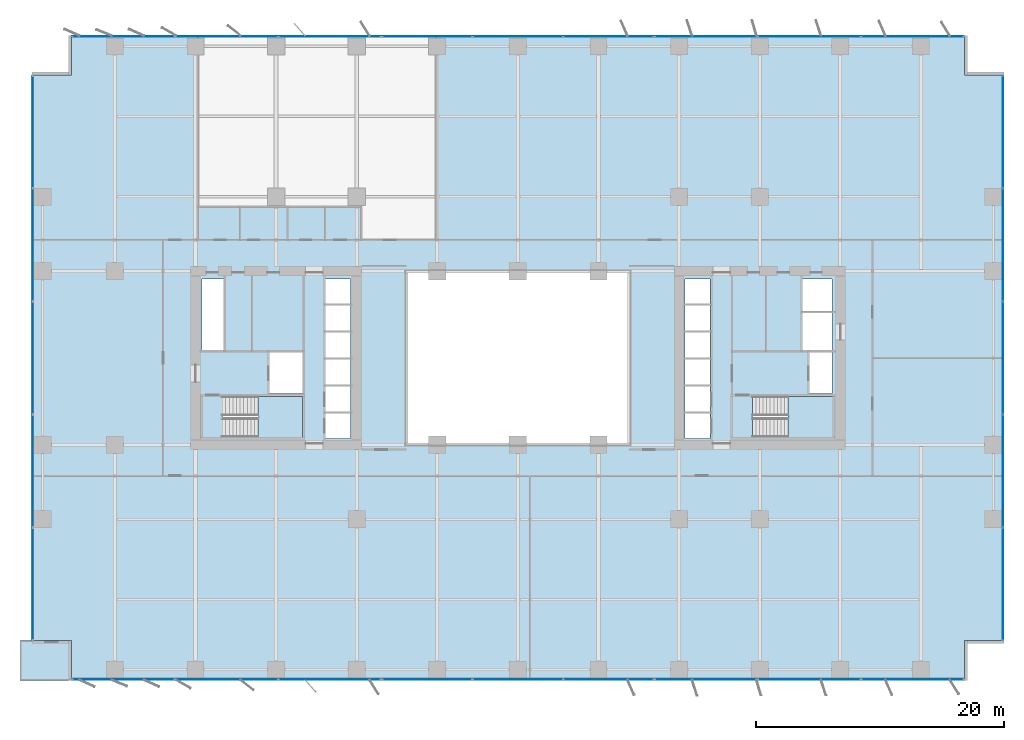
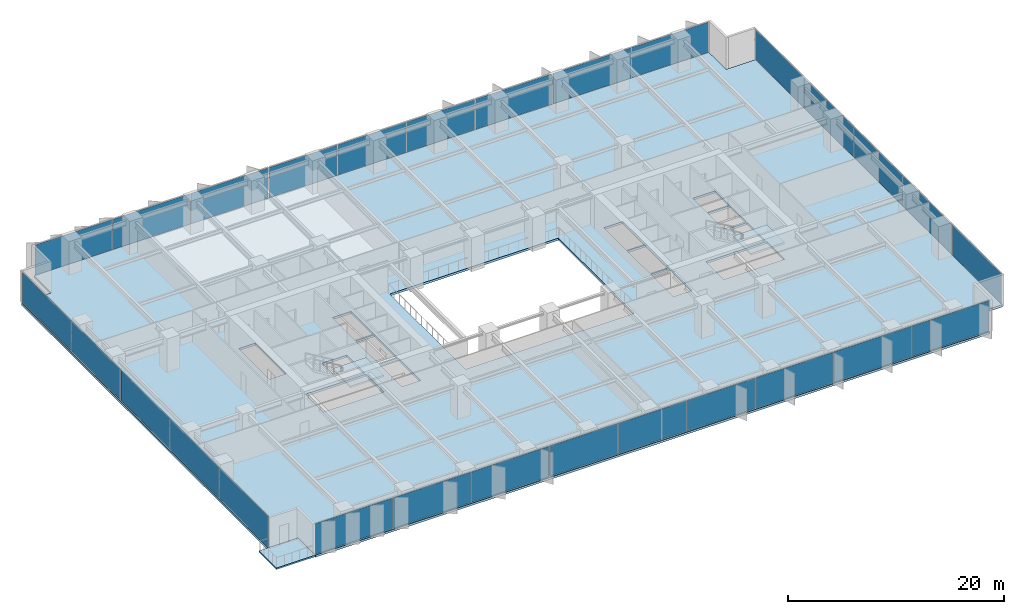
# One storey, part 12 of 20: 28 plates, 4 slabs, 10 elements without a shape of their own.
"""IFC4 building model written with IfcOpenShell, lengths in metres."""

from ifc_helpers import new_model, si_unit, direction, frame, origin, origin_2d, place, context, subcontext, project, spatial, polyline, rectangle, outline, extrude, material, layer, layer_set, type_object, element, aggregate, save


model = new_model("IFC4")

# Units and contexts
model_context = context("Model", 3, precision=1e-05, world=origin(), true_north=direction((0.0, 1.0)))
body_context = subcontext(model_context, "Body", "Model", "MODEL_VIEW")
ifc_project = project(units=[si_unit("LENGTHUNIT", "METRE"), si_unit("AREAUNIT", "SQUARE_METRE"), si_unit("VOLUMEUNIT", "CUBIC_METRE"), si_unit("PLANEANGLEUNIT", "RADIAN"), si_unit("MASSUNIT", "GRAM", prefix="KILO")], contexts=[model_context])

# Site, building, storey
site_placement = place(None, origin())
site = spatial("IfcSite", under=ifc_project, at=site_placement, CompositionType="ELEMENT")
building_placement = place(site_placement, origin())
building = spatial("IfcBuilding", under=site, at=building_placement, Name="Putna Gate Headquarters", CompositionType="ELEMENT")
storey_placement = place(building_placement, frame((0.0, 0.0, 27.800048828125)))
storey = spatial("IfcBuildingStorey", under=building, at=storey_placement, Name="L05", CompositionType="ELEMENT", Elevation=27.800048828125)

# Stair, slab
ifc_material_1 = material(Name="Concrete C40/50", Category="concrete")
stair_type_1 = type_object("IfcStairType", Name="STAIR-ST1", PredefinedType="HALF_TURN_STAIR", material=ifc_material_1)
stair_1_placement = place(storey_placement, origin())
stair_1 = element("IfcStair", 1, at=stair_1_placement, inside=storey, type_object=stair_type_1, Name="L05 West Core Exit Stair ST1", PredefinedType="HALF_TURN_STAIR")
ifc_layer_1 = layer(ifc_material_1, 0.199951171875)
ifc_layer_set_1 = layer_set([ifc_layer_1], Name="Concrete C40/50")
slab_type_1 = type_object("IfcSlabType", Name="LANDING-ST1", PredefinedType="LANDING", material=ifc_layer_set_1)
slab_1_placement = place(storey_placement, frame((0.0, 0.0, 1.699951171875)))
slab_1 = element("IfcSlab", 2, at=slab_1_placement, type_object=slab_type_1, Name="ST1 landing 1", PredefinedType="LANDING", context=body_context, shape_type="SweptSolid", body=[
    extrude(outline(polyline([(18.050048828125, 19.60009765625), (21.64990234375, 19.60009765625), (21.64990234375, 22.89990234375), (18.050048828125, 22.89990234375), (18.050048828125, 19.60009765625)])), origin(), (0.0, 0.0, 1.0), 0.199951171875),
])
aggregate(stair_1, [slab_1])

stair_type_2 = type_object("IfcStairType", Name="STAIR-ST2", PredefinedType="HALF_TURN_STAIR", material=ifc_material_1)
stair_2_placement = place(storey_placement, origin())
stair_2 = element("IfcStair", 3, at=stair_2_placement, inside=storey, type_object=stair_type_2, Name="L05 East Core Exit Stair ST2", PredefinedType="HALF_TURN_STAIR")
ifc_layer_2 = layer(ifc_material_1, 0.199951171875)
ifc_layer_set_2 = layer_set([ifc_layer_2], Name="Concrete C40/50")
slab_type_2 = type_object("IfcSlabType", Name="LANDING-ST2", PredefinedType="LANDING", material=ifc_layer_set_2)
slab_2_placement = place(storey_placement, frame((0.0, 0.0, 1.699951171875)))
slab_2 = element("IfcSlab", 4, at=slab_2_placement, type_object=slab_type_2, Name="ST2 landing 1", PredefinedType="LANDING", context=body_context, shape_type="SweptSolid", body=[
    extrude(outline(polyline([(60.800048828125, 19.60009765625), (64.39990234375, 19.60009765625), (64.39990234375, 22.89990234375), (60.800048828125, 22.89990234375), (60.800048828125, 19.60009765625)])), origin(), (0.0, 0.0, 1.0), 0.199951171875),
])
aggregate(stair_2, [slab_2])

# Curtain wall, plates
ifc_material_2 = material(Name="Anodised bronze aluminium curtain wall", Category="aluminium")
ifc_layer_3 = layer(ifc_material_2, 0.179931640625)
ifc_layer_set_3 = layer_set([ifc_layer_3], Name="Anodised bronze aluminium curtain wall")
curtain_wall_type_1 = type_object("IfcCurtainWallType", Name="CW-SYS-Z1", PredefinedType="USERDEFINED", material=ifc_layer_set_3)
curtain_wall_1_placement = place(storey_placement, origin())
curtain_wall_1 = element("IfcCurtainWall", 5, at=curtain_wall_1_placement, inside=storey, type_object=curtain_wall_type_1, Name="L05 South West Curtain Wall", ObjectType="STICK CURTAIN WALL", PredefinedType="USERDEFINED")
ifc_material_3 = material(Name="Solar-control triple low-E glass", Category="glass")
ifc_layer_4 = layer(ifc_material_3, 0.031982421875)
ifc_layer_set_4 = layer_set([ifc_layer_4], Name="Solar-control triple low-E glass")
plate_type_1 = type_object("IfcPlateType", Name="PAN-CWP-1", PredefinedType="CURTAIN_PANEL", material=ifc_layer_set_4)
plate_1_placement = place(storey_placement, frame((7.18408203125, 0.080078125, 0.06494140625), z_axis=(0.0, 0.0, 1.0), x_axis=(1.0, 0.0, 0.0)))
plate_1 = element("IfcPlate", 6, at=plate_1_placement, type_object=plate_type_1, Name="CWS-1 panel 1.1", PredefinedType="CURTAIN_PANEL", context=body_context, shape_type="SweptSolid", body=[
    extrude(rectangle(XDim=8.228271484375, YDim=0.031982421875, at=origin_2d()), origin(), (0.0, 0.0, 1.0), 3.419921875),
])
plate_2_placement = place(storey_placement, frame((15.5, 0.080078125, 0.06494140625), z_axis=(0.0, 0.0, 1.0), x_axis=(1.0, 0.0, 0.0)))
plate_2 = element("IfcPlate", 7, at=plate_2_placement, type_object=plate_type_1, Name="CWS-1 panel 2.1", PredefinedType="CURTAIN_PANEL", context=body_context, shape_type="SweptSolid", body=[
    extrude(rectangle(XDim=8.263427734375, YDim=0.031982421875, at=origin_2d()), origin(), (0.0, 0.0, 1.0), 3.419921875),
])
plate_3_placement = place(storey_placement, frame((23.81591796875, 0.080078125, 0.06494140625), z_axis=(0.0, 0.0, 1.0), x_axis=(1.0, 0.0, 0.0)))
plate_3 = element("IfcPlate", 8, at=plate_3_placement, type_object=plate_type_1, Name="CWS-1 panel 3.1", PredefinedType="CURTAIN_PANEL", context=body_context, shape_type="SweptSolid", body=[
    extrude(rectangle(XDim=8.228271484375, YDim=0.031982421875, at=origin_2d()), origin(), (0.0, 0.0, 1.0), 3.419921875),
])
aggregate(curtain_wall_1, [plate_1, plate_2, plate_3])

curtain_wall_2_placement = place(storey_placement, origin())
curtain_wall_2 = element("IfcCurtainWall", 9, at=curtain_wall_2_placement, inside=storey, type_object=curtain_wall_type_1, Name="L05 South East Curtain Wall", ObjectType="STICK CURTAIN WALL", PredefinedType="USERDEFINED")
plate_4_placement = place(storey_placement, frame((54.18408203125, 0.080078125, 0.06494140625), z_axis=(0.0, 0.0, 1.0), x_axis=(1.0, 0.0, 0.0)))
plate_4 = element("IfcPlate", 10, at=plate_4_placement, type_object=plate_type_1, Name="CWS-1 panel 1.1", PredefinedType="CURTAIN_PANEL", context=body_context, shape_type="SweptSolid", body=[
    extrude(rectangle(XDim=8.228271484375, YDim=0.031982421875, at=origin_2d()), origin(), (0.0, 0.0, 1.0), 3.419921875),
])
plate_5_placement = place(storey_placement, frame((62.5, 0.080078125, 0.06494140625), z_axis=(0.0, 0.0, 1.0), x_axis=(1.0, 0.0, 0.0)))
plate_5 = element("IfcPlate", 11, at=plate_5_placement, type_object=plate_type_1, Name="CWS-1 panel 2.1", PredefinedType="CURTAIN_PANEL", context=body_context, shape_type="SweptSolid", body=[
    extrude(rectangle(XDim=8.263427734375, YDim=0.031982421875, at=origin_2d()), origin(), (0.0, 0.0, 1.0), 3.419921875),
])
plate_6_placement = place(storey_placement, frame((70.81591796875, 0.080078125, 0.06494140625), z_axis=(0.0, 0.0, 1.0), x_axis=(1.0, 0.0, 0.0)))
plate_6 = element("IfcPlate", 12, at=plate_6_placement, type_object=plate_type_1, Name="CWS-1 panel 3.1", PredefinedType="CURTAIN_PANEL", context=body_context, shape_type="SweptSolid", body=[
    extrude(rectangle(XDim=8.228271484375, YDim=0.031982421875, at=origin_2d()), origin(), (0.0, 0.0, 1.0), 3.419921875),
])
aggregate(curtain_wall_2, [plate_4, plate_5, plate_6])

curtain_wall_3_placement = place(storey_placement, origin())
curtain_wall_3 = element("IfcCurtainWall", 13, at=curtain_wall_3_placement, inside=storey, type_object=curtain_wall_type_1, Name="L05 North West Curtain Wall", ObjectType="STICK CURTAIN WALL", PredefinedType="USERDEFINED")
plate_7_placement = place(storey_placement, frame((7.18408203125, 51.919921875, 0.06494140625), z_axis=(0.0, 0.0, 1.0), x_axis=(1.0, 0.0, 0.0)))
plate_7 = element("IfcPlate", 14, at=plate_7_placement, type_object=plate_type_1, Name="CWS-1 panel 1.1", PredefinedType="CURTAIN_PANEL", context=body_context, shape_type="SweptSolid", body=[
    extrude(rectangle(XDim=8.228271484375, YDim=0.031982421875, at=origin_2d()), origin(), (0.0, 0.0, 1.0), 3.419921875),
])
plate_8_placement = place(storey_placement, frame((15.5, 51.919921875, 0.06494140625), z_axis=(0.0, 0.0, 1.0), x_axis=(1.0, 0.0, 0.0)))
plate_8 = element("IfcPlate", 15, at=plate_8_placement, type_object=plate_type_1, Name="CWS-1 panel 2.1", PredefinedType="CURTAIN_PANEL", context=body_context, shape_type="SweptSolid", body=[
    extrude(rectangle(XDim=8.263427734375, YDim=0.031982421875, at=origin_2d()), origin(), (0.0, 0.0, 1.0), 3.419921875),
])
plate_9_placement = place(storey_placement, frame((23.81591796875, 51.919921875, 0.06494140625), z_axis=(0.0, 0.0, 1.0), x_axis=(1.0, 0.0, 0.0)))
plate_9 = element("IfcPlate", 16, at=plate_9_placement, type_object=plate_type_1, Name="CWS-1 panel 3.1", PredefinedType="CURTAIN_PANEL", context=body_context, shape_type="SweptSolid", body=[
    extrude(rectangle(XDim=8.228271484375, YDim=0.031982421875, at=origin_2d()), origin(), (0.0, 0.0, 1.0), 3.419921875),
])
aggregate(curtain_wall_3, [plate_7, plate_8, plate_9])

curtain_wall_4_placement = place(storey_placement, origin())
curtain_wall_4 = element("IfcCurtainWall", 17, at=curtain_wall_4_placement, inside=storey, type_object=curtain_wall_type_1, Name="L05 North East Curtain Wall", ObjectType="STICK CURTAIN WALL", PredefinedType="USERDEFINED")
plate_10_placement = place(storey_placement, frame((54.18408203125, 51.919921875, 0.06494140625), z_axis=(0.0, 0.0, 1.0), x_axis=(1.0, 0.0, 0.0)))
plate_10 = element("IfcPlate", 18, at=plate_10_placement, type_object=plate_type_1, Name="CWS-1 panel 1.1", PredefinedType="CURTAIN_PANEL", context=body_context, shape_type="SweptSolid", body=[
    extrude(rectangle(XDim=8.228271484375, YDim=0.031982421875, at=origin_2d()), origin(), (0.0, 0.0, 1.0), 3.419921875),
])
plate_11_placement = place(storey_placement, frame((62.5, 51.919921875, 0.06494140625), z_axis=(0.0, 0.0, 1.0), x_axis=(1.0, 0.0, 0.0)))
plate_11 = element("IfcPlate", 19, at=plate_11_placement, type_object=plate_type_1, Name="CWS-1 panel 2.1", PredefinedType="CURTAIN_PANEL", context=body_context, shape_type="SweptSolid", body=[
    extrude(rectangle(XDim=8.263427734375, YDim=0.031982421875, at=origin_2d()), origin(), (0.0, 0.0, 1.0), 3.419921875),
])
plate_12_placement = place(storey_placement, frame((70.81591796875, 51.919921875, 0.06494140625), z_axis=(0.0, 0.0, 1.0), x_axis=(1.0, 0.0, 0.0)))
plate_12 = element("IfcPlate", 20, at=plate_12_placement, type_object=plate_type_1, Name="CWS-1 panel 3.1", PredefinedType="CURTAIN_PANEL", context=body_context, shape_type="SweptSolid", body=[
    extrude(rectangle(XDim=8.228271484375, YDim=0.031982421875, at=origin_2d()), origin(), (0.0, 0.0, 1.0), 3.419921875),
])
aggregate(curtain_wall_4, [plate_10, plate_11, plate_12])

curtain_wall_5_placement = place(storey_placement, origin())
curtain_wall_5 = element("IfcCurtainWall", 21, at=curtain_wall_5_placement, inside=storey, type_object=curtain_wall_type_1, Name="L05 West Curtain Wall", ObjectType="STICK CURTAIN WALL", PredefinedType="USERDEFINED")
plate_13_placement = place(storey_placement, frame((-0.1201171875, 7.777587890625, 0.06494140625), z_axis=(0.0, 0.0, 1.0), x_axis=(0.0, 1.0, 0.0)))
plate_13 = element("IfcPlate", 22, at=plate_13_placement, type_object=plate_type_1, Name="CWS-1 panel 1.1", PredefinedType="CURTAIN_PANEL", context=body_context, shape_type="SweptSolid", body=[
    extrude(rectangle(XDim=9.014892578125, YDim=0.031982421875, at=origin_2d()), origin(), (0.0, 0.0, 1.0), 3.419921875),
])
plate_14_placement = place(storey_placement, frame((-0.1201171875, 16.8798828125, 0.06494140625), z_axis=(0.0, 0.0, 1.0), x_axis=(0.0, 1.0, 0.0)))
plate_14 = element("IfcPlate", 23, at=plate_14_placement, type_object=plate_type_1, Name="CWS-1 panel 2.1", PredefinedType="CURTAIN_PANEL", context=body_context, shape_type="SweptSolid", body=[
    extrude(rectangle(XDim=9.050048828125, YDim=0.031982421875, at=origin_2d()), origin(), (0.0, 0.0, 1.0), 3.419921875),
])
plate_15_placement = place(storey_placement, frame((-0.1201171875, 26.0, 0.06494140625), z_axis=(0.0, 0.0, 1.0), x_axis=(0.0, 1.0, 0.0)))
plate_15 = element("IfcPlate", 24, at=plate_15_placement, type_object=plate_type_1, Name="CWS-1 panel 3.1", PredefinedType="CURTAIN_PANEL", context=body_context, shape_type="SweptSolid", body=[
    extrude(rectangle(XDim=9.050048828125, YDim=0.031982421875, at=origin_2d()), origin(), (0.0, 0.0, 1.0), 3.419921875),
])
plate_16_placement = place(storey_placement, frame((-0.1201171875, 35.1201171875, 0.06494140625), z_axis=(0.0, 0.0, 1.0), x_axis=(0.0, 1.0, 0.0)))
plate_16 = element("IfcPlate", 25, at=plate_16_placement, type_object=plate_type_1, Name="CWS-1 panel 4.1", PredefinedType="CURTAIN_PANEL", context=body_context, shape_type="SweptSolid", body=[
    extrude(rectangle(XDim=9.050048828125, YDim=0.031982421875, at=origin_2d()), origin(), (0.0, 0.0, 1.0), 3.419921875),
])
plate_17_placement = place(storey_placement, frame((-0.1201171875, 44.222412109375, 0.06494140625), z_axis=(0.0, 0.0, 1.0), x_axis=(0.0, 1.0, 0.0)))
plate_17 = element("IfcPlate", 26, at=plate_17_placement, type_object=plate_type_1, Name="CWS-1 panel 5.1", PredefinedType="CURTAIN_PANEL", context=body_context, shape_type="SweptSolid", body=[
    extrude(rectangle(XDim=9.014892578125, YDim=0.031982421875, at=origin_2d()), origin(), (0.0, 0.0, 1.0), 3.419921875),
])
aggregate(curtain_wall_5, [plate_13, plate_14, plate_15, plate_16, plate_17])

curtain_wall_6_placement = place(storey_placement, origin())
curtain_wall_6 = element("IfcCurtainWall", 27, at=curtain_wall_6_placement, inside=storey, type_object=curtain_wall_type_1, Name="L05 East Curtain Wall", ObjectType="STICK CURTAIN WALL", PredefinedType="USERDEFINED")
plate_18_placement = place(storey_placement, frame((78.1201171875, 7.777587890625, 0.06494140625), z_axis=(0.0, 0.0, 1.0), x_axis=(0.0, 1.0, 0.0)))
plate_18 = element("IfcPlate", 28, at=plate_18_placement, type_object=plate_type_1, Name="CWS-1 panel 1.1", PredefinedType="CURTAIN_PANEL", context=body_context, shape_type="SweptSolid", body=[
    extrude(rectangle(XDim=9.014892578125, YDim=0.031982421875, at=origin_2d()), origin(), (0.0, 0.0, 1.0), 3.419921875),
])
plate_19_placement = place(storey_placement, frame((78.1201171875, 16.8798828125, 0.06494140625), z_axis=(0.0, 0.0, 1.0), x_axis=(0.0, 1.0, 0.0)))
plate_19 = element("IfcPlate", 29, at=plate_19_placement, type_object=plate_type_1, Name="CWS-1 panel 2.1", PredefinedType="CURTAIN_PANEL", context=body_context, shape_type="SweptSolid", body=[
    extrude(rectangle(XDim=9.050048828125, YDim=0.031982421875, at=origin_2d()), origin(), (0.0, 0.0, 1.0), 3.419921875),
])
plate_20_placement = place(storey_placement, frame((78.1201171875, 26.0, 0.06494140625), z_axis=(0.0, 0.0, 1.0), x_axis=(0.0, 1.0, 0.0)))
plate_20 = element("IfcPlate", 30, at=plate_20_placement, type_object=plate_type_1, Name="CWS-1 panel 3.1", PredefinedType="CURTAIN_PANEL", context=body_context, shape_type="SweptSolid", body=[
    extrude(rectangle(XDim=9.050048828125, YDim=0.031982421875, at=origin_2d()), origin(), (0.0, 0.0, 1.0), 3.419921875),
])
plate_21_placement = place(storey_placement, frame((78.1201171875, 35.1201171875, 0.06494140625), z_axis=(0.0, 0.0, 1.0), x_axis=(0.0, 1.0, 0.0)))
plate_21 = element("IfcPlate", 31, at=plate_21_placement, type_object=plate_type_1, Name="CWS-1 panel 4.1", PredefinedType="CURTAIN_PANEL", context=body_context, shape_type="SweptSolid", body=[
    extrude(rectangle(XDim=9.050048828125, YDim=0.031982421875, at=origin_2d()), origin(), (0.0, 0.0, 1.0), 3.419921875),
])
plate_22_placement = place(storey_placement, frame((78.1201171875, 44.222412109375, 0.06494140625), z_axis=(0.0, 0.0, 1.0), x_axis=(0.0, 1.0, 0.0)))
plate_22 = element("IfcPlate", 32, at=plate_22_placement, type_object=plate_type_1, Name="CWS-1 panel 5.1", PredefinedType="CURTAIN_PANEL", context=body_context, shape_type="SweptSolid", body=[
    extrude(rectangle(XDim=9.014892578125, YDim=0.031982421875, at=origin_2d()), origin(), (0.0, 0.0, 1.0), 3.419921875),
])
aggregate(curtain_wall_6, [plate_18, plate_19, plate_20, plate_21, plate_22])

ifc_layer_5 = layer(ifc_material_2, 0.179931640625)
ifc_layer_set_5 = layer_set([ifc_layer_5], Name="Anodised bronze aluminium curtain wall")
curtain_wall_type_2 = type_object("IfcCurtainWallType", Name="CW-SYS-ATR", PredefinedType="USERDEFINED", material=ifc_layer_set_5)
curtain_wall_7_placement = place(storey_placement, origin())
curtain_wall_7 = element("IfcCurtainWall", 33, at=curtain_wall_7_placement, inside=storey, type_object=curtain_wall_type_2, Name="L05 South Atrium Clear Glazing", ObjectType="ATRIUM GLAZING", PredefinedType="USERDEFINED")
ifc_material_4 = material(Name="Clear low-iron triple glazing", Category="glass")
ifc_layer_6 = layer(ifc_material_4, 0.0400390625)
ifc_layer_set_6 = layer_set([ifc_layer_6], Name="Clear low-iron triple glazing")
plate_type_2 = type_object("IfcPlateType", Name="PAN-CWP-AT", PredefinedType="CURTAIN_PANEL", material=ifc_layer_set_6)
plate_23_placement = place(storey_placement, frame((31.68408203125, 0.080078125, 0.06982421875), z_axis=(0.0, 0.0, 1.0), x_axis=(1.0, 0.0, 0.0)))
plate_23 = element("IfcPlate", 34, at=plate_23_placement, type_object=plate_type_2, Name="CWS-AT panel 1.1", PredefinedType="CURTAIN_PANEL", context=body_context, shape_type="SweptSolid", body=[
    extrude(rectangle(XDim=7.228271484375, YDim=0.0400390625, at=origin_2d()), origin(), (0.0, 0.0, 1.0), 3.409912109375),
])
plate_24_placement = place(storey_placement, frame((39.0, 0.080078125, 0.06982421875), z_axis=(0.0, 0.0, 1.0), x_axis=(1.0, 0.0, 0.0)))
plate_24 = element("IfcPlate", 35, at=plate_24_placement, type_object=plate_type_2, Name="CWS-AT panel 2.1", PredefinedType="CURTAIN_PANEL", context=body_context, shape_type="SweptSolid", body=[
    extrude(rectangle(XDim=7.263427734375, YDim=0.0400390625, at=origin_2d()), origin(), (0.0, 0.0, 1.0), 3.409912109375),
])
plate_25_placement = place(storey_placement, frame((46.31591796875, 0.080078125, 0.06982421875), z_axis=(0.0, 0.0, 1.0), x_axis=(1.0, 0.0, 0.0)))
plate_25 = element("IfcPlate", 36, at=plate_25_placement, type_object=plate_type_2, Name="CWS-AT panel 3.1", PredefinedType="CURTAIN_PANEL", context=body_context, shape_type="SweptSolid", body=[
    extrude(rectangle(XDim=7.228271484375, YDim=0.0400390625, at=origin_2d()), origin(), (0.0, 0.0, 1.0), 3.409912109375),
])
aggregate(curtain_wall_7, [plate_23, plate_24, plate_25])

curtain_wall_8_placement = place(storey_placement, origin())
curtain_wall_8 = element("IfcCurtainWall", 37, at=curtain_wall_8_placement, inside=storey, type_object=curtain_wall_type_2, Name="L05 North Atrium Clear Glazing", ObjectType="ATRIUM GLAZING", PredefinedType="USERDEFINED")
plate_26_placement = place(storey_placement, frame((31.68408203125, 51.919921875, 0.06982421875), z_axis=(0.0, 0.0, 1.0), x_axis=(1.0, 0.0, 0.0)))
plate_26 = element("IfcPlate", 38, at=plate_26_placement, type_object=plate_type_2, Name="CWS-AT panel 1.1", PredefinedType="CURTAIN_PANEL", context=body_context, shape_type="SweptSolid", body=[
    extrude(rectangle(XDim=7.228271484375, YDim=0.0400390625, at=origin_2d()), origin(), (0.0, 0.0, 1.0), 3.409912109375),
])
plate_27_placement = place(storey_placement, frame((39.0, 51.919921875, 0.06982421875), z_axis=(0.0, 0.0, 1.0), x_axis=(1.0, 0.0, 0.0)))
plate_27 = element("IfcPlate", 39, at=plate_27_placement, type_object=plate_type_2, Name="CWS-AT panel 2.1", PredefinedType="CURTAIN_PANEL", context=body_context, shape_type="SweptSolid", body=[
    extrude(rectangle(XDim=7.263427734375, YDim=0.0400390625, at=origin_2d()), origin(), (0.0, 0.0, 1.0), 3.409912109375),
])
plate_28_placement = place(storey_placement, frame((46.31591796875, 51.919921875, 0.06982421875), z_axis=(0.0, 0.0, 1.0), x_axis=(1.0, 0.0, 0.0)))
plate_28 = element("IfcPlate", 40, at=plate_28_placement, type_object=plate_type_2, Name="CWS-AT panel 3.1", PredefinedType="CURTAIN_PANEL", context=body_context, shape_type="SweptSolid", body=[
    extrude(rectangle(XDim=7.228271484375, YDim=0.0400390625, at=origin_2d()), origin(), (0.0, 0.0, 1.0), 3.409912109375),
])
aggregate(curtain_wall_8, [plate_26, plate_27, plate_28])

# Slabs
ifc_layer_7 = layer(ifc_material_1, 0.179931640625)
ifc_layer_set_7 = layer_set([ifc_layer_7], Name="Concrete C40/50")
slab_type_3 = type_object("IfcSlabType", Name="SLAB-TERRACE-180", PredefinedType="FLOOR", material=ifc_layer_set_7)
slab_3_placement = place(storey_placement, frame((0.0, 0.0, -0.179931640625)))
element("IfcSlab", 41, at=slab_3_placement, inside=storey, type_object=slab_type_3, Name="L05 Spiral Sky-Garden Terrace Slab (SW)", PredefinedType="FLOOR", context=body_context, shape_type="SweptSolid", body=[
    extrude(outline(polyline([(-1.14990234375, 0.0), (3.008056640625, 0.0), (3.008056640625, 3.2080078125), (-1.14990234375, 3.2080078125), (-1.14990234375, 0.0)])), origin(), (0.0, 0.0, 1.0), 0.179931640625),
])
ifc_layer_8 = layer(ifc_material_1, 0.25)
ifc_layer_set_8 = layer_set([ifc_layer_8], Name="Concrete C40/50")
slab_type_4 = type_object("IfcSlabType", Name="SLAB-Z1-250", PredefinedType="FLOOR", material=ifc_layer_set_8)
slab_4_placement = place(storey_placement, frame((0.0, 0.0, -0.25)))
element("IfcSlab", 42, at=slab_4_placement, inside=storey, type_object=slab_type_4, Name="L05 Composite Floor Slab", PredefinedType="FLOOR", context=body_context, shape_type="SweptSolid", body=[
    extrude(outline(polyline([(3.0, 0.0), (75.0, 0.0), (75.0, 3.199951171875), (78.199951171875, 3.199951171875), (78.199951171875, 48.800048828125), (75.0, 48.800048828125), (75.0, 52.0), (3.0, 52.0), (3.0, 48.800048828125), (-0.199951171875, 48.800048828125), (-0.199951171875, 3.199951171875), (3.0, 3.199951171875), (3.0, 0.0)]), holes=[polyline([(15.1650390625, 19.60009765625), (21.64990234375, 19.60009765625), (21.64990234375, 22.89990234375), (15.1650390625, 22.89990234375), (15.1650390625, 19.60009765625)]), polyline([(57.9150390625, 19.60009765625), (64.39990234375, 19.60009765625), (64.39990234375, 22.89990234375), (57.9150390625, 22.89990234375), (57.9150390625, 19.60009765625)]), polyline([(13.52001953125, 26.659912109375), (15.280029296875, 26.659912109375), (15.280029296875, 32.35009765625), (13.52001953125, 32.35009765625), (13.52001953125, 26.659912109375)]), polyline([(61.969970703125, 29.780029296875), (64.35009765625, 29.780029296875), (64.35009765625, 32.35009765625), (61.969970703125, 32.35009765625), (61.969970703125, 29.780029296875)]), polyline([(18.97998046875, 23.1201171875), (21.6201171875, 23.1201171875), (21.6201171875, 26.4599609375), (18.97998046875, 26.4599609375), (18.97998046875, 23.1201171875)]), polyline([(62.52001953125, 23.1201171875), (64.35009765625, 23.1201171875), (64.35009765625, 26.4599609375), (62.52001953125, 26.4599609375), (62.52001953125, 23.1201171875)]), polyline([(61.969970703125, 26.659912109375), (64.35009765625, 26.659912109375), (64.35009765625, 29.6201171875), (61.969970703125, 29.6201171875), (61.969970703125, 26.659912109375)]), polyline([(23.5, 19.52001953125), (25.5, 19.52001953125), (25.5, 23.699951171875), (23.5, 23.699951171875), (23.5, 19.52001953125)]), polyline([(52.47998046875, 19.52001953125), (54.5, 19.52001953125), (54.5, 23.699951171875), (52.47998046875, 23.699951171875), (52.47998046875, 19.52001953125)]), polyline([(23.5, 23.860107421875), (25.5, 23.860107421875), (25.5, 28.0400390625), (23.5, 28.0400390625), (23.5, 23.860107421875)]), polyline([(52.47998046875, 23.860107421875), (54.5, 23.860107421875), (54.5, 28.0400390625), (52.47998046875, 28.0400390625), (52.47998046875, 23.860107421875)]), polyline([(23.5, 28.199951171875), (25.5, 28.199951171875), (25.5, 32.35009765625), (23.5, 32.35009765625), (23.5, 28.199951171875)]), polyline([(52.47998046875, 28.199951171875), (54.5, 28.199951171875), (54.5, 32.35009765625), (52.47998046875, 32.35009765625), (52.47998046875, 28.199951171875)]), polyline([(30.0, 19.0), (48.0, 19.0), (48.0, 33.0), (30.0, 33.0), (30.0, 19.0)])]), origin(), (0.0, 0.0, 1.0), 0.25),
])

save(model, "model.ifc")
